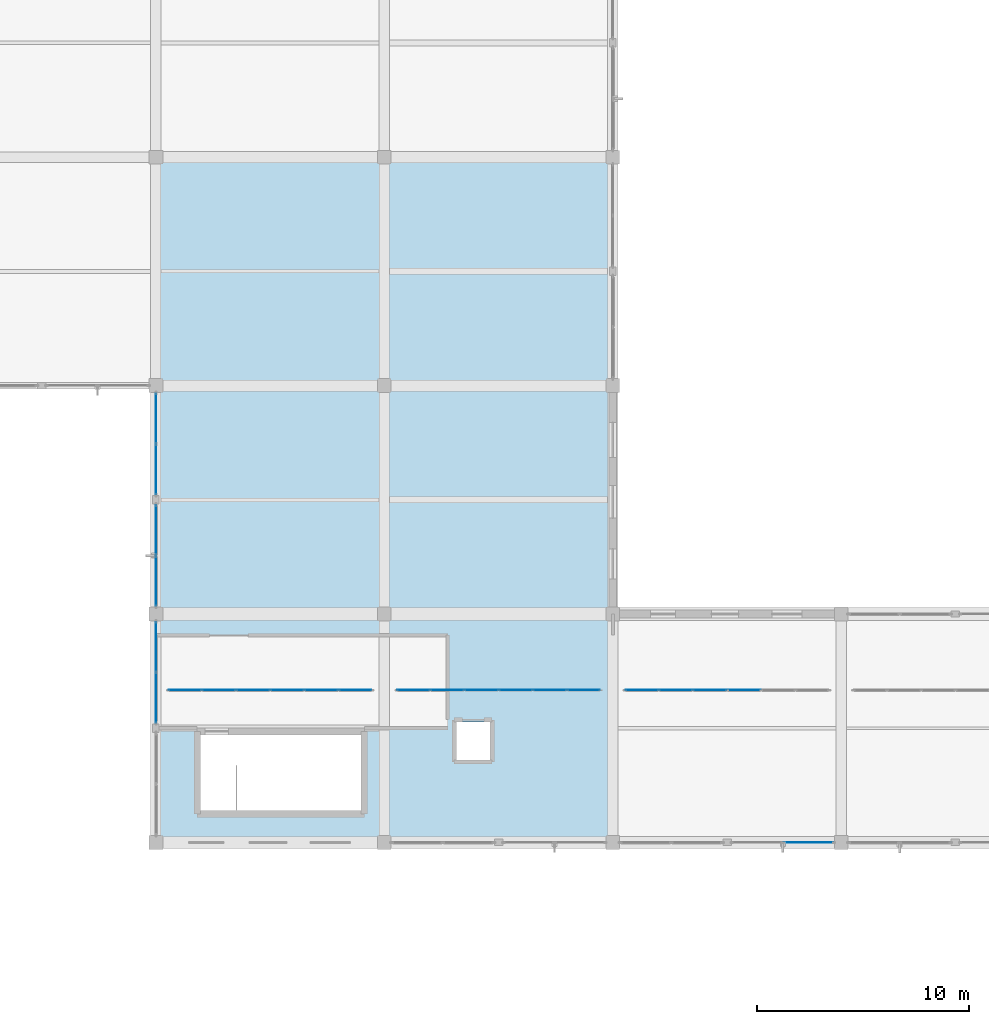
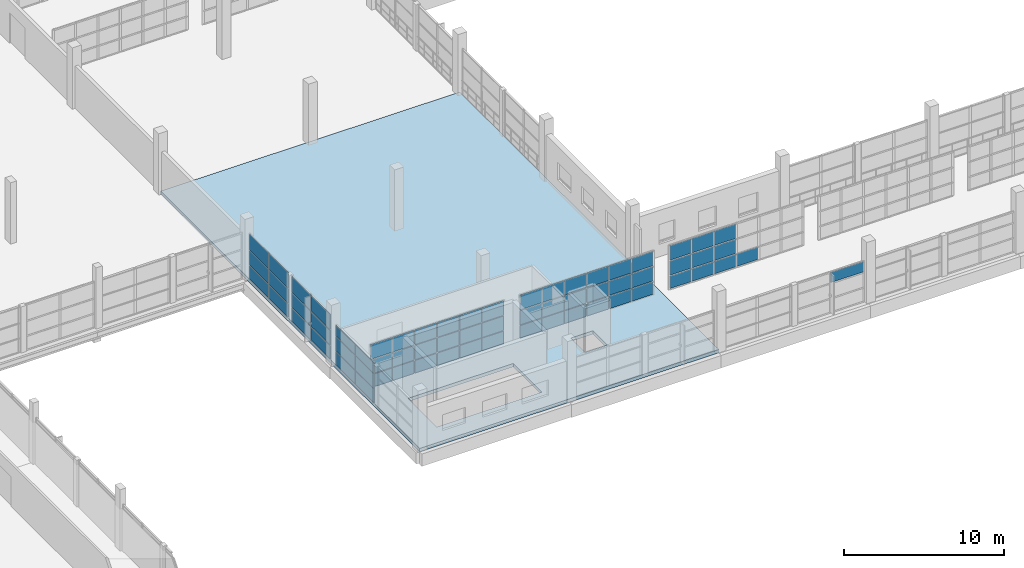
# One storey, part 86 of 142: 65 plates, 1 slab, 7 elements without a shape of their own.
"""IFC4 building model written with IfcOpenShell, lengths in metres."""

import ifcopenshell
import ifcopenshell.guid

model = None  # the IFC model being written
_history = None  # IfcOwnerHistory: only IFC2X3 demands one
_inside = {}  # id of a spatial element -> (the spatial element, [elements in it])
_under = {}  # id of a project, library or spatial element -> (it, [spatial elements below it])
_declared = {}  # id of a project -> (the project, [libraries it declares])
_typed = {}  # id of a type object -> (the type object, [elements of that type])
_made_of = {}  # id of a material, layer set ... -> (it, [elements and type objects made of it])


def new_model(schema):
    """Start an empty IFC model of exactly this schema.

    Asked for "IFC4X3", IfcOpenShell would pick the latest addendum, in which some entities
    have other attributes; the version numbers below select the first issue.
    IFC2X3 requires an IfcOwnerHistory on every rooted entity: one is made here for all.
    """
    global model, _history
    if schema == "IFC4X3":
        model = ifcopenshell.file(schema_version=(4, 3, 0, 0))
    else:
        model = ifcopenshell.file(schema=schema)
    _inside.clear()
    _under.clear()
    _declared.clear()
    _typed.clear()
    _made_of.clear()
    _history = None
    if model.schema == "IFC2X3":
        org = make("IfcOrganization", Name="unknown")
        user = make(
            "IfcPersonAndOrganization",
            ThePerson=make("IfcPerson", FamilyName="unknown"),
            TheOrganization=org,
        )
        app = make(
            "IfcApplication",
            ApplicationDeveloper=org,
            Version="unknown",
            ApplicationFullName="unknown",
            ApplicationIdentifier="unknown",
        )
        _history = make(
            "IfcOwnerHistory",
            OwningUser=user,
            OwningApplication=app,
            ChangeAction="ADDED",
            CreationDate=0,
        )
    return model


def make(cls, **values):
    """One entity of the class cls with the attributes given. An attribute that is None is left unset."""
    return model.create_entity(
        cls, **{name: value for name, value in values.items() if value is not None}
    )


def rooted(cls, **values):
    """An entity with a GlobalId (a new one), such as an element, a storey or a relation."""
    return make(cls, GlobalId=ifcopenshell.guid.new(), OwnerHistory=_history, **values)


def si_unit(unit_type, name, prefix=None):
    """IfcSIUnit, for example si_unit("LENGTHUNIT", "METRE", prefix="MILLI")."""
    return make("IfcSIUnit", UnitType=unit_type, Prefix=prefix, Name=name)


def assignment(units):
    """IfcUnitAssignment: the units of a project."""
    return None if units is None else make("IfcUnitAssignment", Units=units)


def point(xyz):
    """IfcCartesianPoint."""
    return None if xyz is None else make("IfcCartesianPoint", Coordinates=xyz)


def direction(xyz):
    """IfcDirection."""
    return None if xyz is None else make("IfcDirection", DirectionRatios=xyz)


def frame(location, z_axis=None, x_axis=None):
    """IfcAxis2Placement3D, a coordinate frame: its origin and axes. An axis left out is left unset."""
    return make(
        "IfcAxis2Placement3D",
        Location=point(location),
        Axis=direction(z_axis),
        RefDirection=direction(x_axis),
    )


def frame_2d(location, x_axis=None):
    """IfcAxis2Placement2D, a coordinate frame in the plane: its origin and x axis."""
    return make(
        "IfcAxis2Placement2D", Location=point(location), RefDirection=direction(x_axis)
    )


def origin():
    """The frame at (0, 0, 0) with its axes left unset."""
    return frame((0.0, 0.0, 0.0))


def origin_2d():
    """The frame at (0, 0) in the plane with its x axis left unset."""
    return frame_2d((0.0, 0.0))


def place(relative_to, where):
    """IfcLocalPlacement: puts the frame where relative to a parent placement (None: the world)."""
    return make(
        "IfcLocalPlacement", PlacementRelTo=relative_to, RelativePlacement=where
    )


def context(
    kind, dimensions, precision=None, world=None, true_north=None, identifier=None
):
    """IfcGeometricRepresentationContext, for example the 3D "Model" context."""
    return make(
        "IfcGeometricRepresentationContext",
        ContextIdentifier=identifier,
        ContextType=kind,
        CoordinateSpaceDimension=dimensions,
        Precision=precision,
        WorldCoordinateSystem=world,
        TrueNorth=true_north,
    )


def subcontext(parent, identifier, kind, view, scale=None):
    """IfcGeometricRepresentationSubContext, for example "Body" below "Model"."""
    return make(
        "IfcGeometricRepresentationSubContext",
        ContextIdentifier=identifier,
        ContextType=kind,
        ParentContext=parent,
        TargetScale=scale,
        TargetView=view,
    )


def project(units=None, contexts=None):
    """IfcProject with its units and contexts."""
    return rooted(
        "IfcProject",
        Name="project",
        RepresentationContexts=contexts,
        UnitsInContext=assignment(units),
    )


def spatial(cls, under=None, at=None, **own):
    """A site, building, storey or space (cls), placed at a placement, below another one or the project."""
    s = rooted(cls, ObjectPlacement=at, **own)
    if under is not None:
        _under.setdefault(under.id(), (under, []))[1].append(s)
    return s


def polyline(points):
    """IfcPolyline through the points."""
    return make("IfcPolyline", Points=[point(p) for p in points])


def profile(cls, at=None, kind="AREA", **sizes):
    """A parametric profile (cls). Its sizes go by their IFC names, for example OverallWidth=200.0."""
    return make(cls, ProfileType=kind, Position=at, **sizes)


def rectangle(**sizes):
    """IfcRectangleProfileDef."""
    return profile("IfcRectangleProfileDef", **sizes)


def outline(outer, holes=None, kind="AREA"):
    """IfcArbitraryClosedProfileDef: a profile drawn as a closed curve; with holes, ...WithVoids."""
    if holes is None:
        return make("IfcArbitraryClosedProfileDef", ProfileType=kind, OuterCurve=outer)
    return make(
        "IfcArbitraryProfileDefWithVoids",
        ProfileType=kind,
        OuterCurve=outer,
        InnerCurves=holes,
    )


def extrude(swept, where, along, depth):
    """IfcExtrudedAreaSolid: the profile swept, set in the frame where, extruded along a direction by depth."""
    return make(
        "IfcExtrudedAreaSolid",
        SweptArea=swept,
        Position=where,
        ExtrudedDirection=direction(along),
        Depth=depth,
    )


def shape(context_of_items, identifier, shape_type, items):
    """IfcShapeRepresentation: the items that make up one representation, for example the "Body"."""
    return make(
        "IfcShapeRepresentation",
        ContextOfItems=context_of_items,
        RepresentationIdentifier=identifier,
        RepresentationType=shape_type,
        Items=items,
    )


def material(Name=None, Category=None):
    """IfcMaterial."""
    return make("IfcMaterial", Name=Name, Category=Category)


def layer(
    of_material, thickness, ventilated=None, Name=None, Category=None, Priority=None
):
    """IfcMaterialLayer: one layer of a wall or slab, of a material (None: an air gap)."""
    return make(
        "IfcMaterialLayer",
        Material=of_material,
        LayerThickness=thickness,
        IsVentilated=ventilated,
        Name=Name,
        Category=Category,
        Priority=Priority,
    )


def layer_set(layers, Name=None):
    """IfcMaterialLayerSet."""
    return make("IfcMaterialLayerSet", MaterialLayers=layers, LayerSetName=Name)


def made_of(thing, what):
    """Note that an element or type object is made of a material, layer set ...; save() writes the relation."""
    if what is not None:
        _made_of.setdefault(what.id(), (what, []))[1].append(thing)
    return thing


def type_object(cls, material=None, **own):
    """A type object (cls), such as IfcWallType, which elements share."""
    return made_of(rooted(cls, **own), material)


def element(
    cls,
    number,
    at=None,
    inside=None,
    cuts=None,
    type_object=None,
    material=None,
    context=None,
    identifier="Body",
    shape_type=None,
    held_by="IfcProductDefinitionShape",
    body=None,
    shapes=None,
    **own,
):
    """One element of the class cls, such as IfcWall. Its Tag is "e" and its number.

    at: its placement. inside: the storey or other place that contains it. cuts: it is an
    opening in that element (IfcRelVoidsElement). A single representation is given by context,
    identifier, shape_type and body (its items); several are given by shapes. held_by: the class
    of the entity that holds the representations. save() writes the other relations.
    """
    e = rooted(cls, Tag="e%d" % number, ObjectPlacement=at, **own)
    if body is not None:
        shapes = [shape(context, identifier, shape_type, body)]
    if shapes is not None:
        e.Representation = make(held_by, Representations=shapes)
    if inside is not None:
        _inside.setdefault(inside.id(), (inside, []))[1].append(e)
    if cuts is not None:
        rooted(
            "IfcRelVoidsElement", RelatingBuildingElement=cuts, RelatedOpeningElement=e
        )
    if type_object is not None:
        _typed.setdefault(type_object.id(), (type_object, []))[1].append(e)
    return made_of(e, material)


def aggregate(whole, parts):
    """IfcRelAggregates: a whole, such as a stair, and the parts it consists of."""
    return rooted("IfcRelAggregates", RelatingObject=whole, RelatedObjects=parts)


def save(model, path):
    """Write the relations noted so far, then the file.

    IfcRelAggregates (storeys below a building ...), IfcRelContainedInSpatialStructure (elements
    in a storey), IfcRelDefinesByType, IfcRelAssociatesMaterial and IfcRelDeclares: one each for
    every whole, place, type object, material and project.
    """
    for whole, parts in _under.values():
        aggregate(whole, parts)
    for where, things in _inside.values():
        rooted(
            "IfcRelContainedInSpatialStructure",
            RelatedElements=things,
            RelatingStructure=where,
        )
    for kind, things in _typed.values():
        rooted("IfcRelDefinesByType", RelatedObjects=things, RelatingType=kind)
    for what, things in _made_of.values():
        rooted("IfcRelAssociatesMaterial", RelatedObjects=things, RelatingMaterial=what)
    for by, libraries in _declared.values():
        rooted("IfcRelDeclares", RelatingContext=by, RelatedDefinitions=libraries)
    model.write(path)


model = new_model("IFC4")

# Units and contexts
model_context = context("Model", 3, precision=1e-05, world=origin(), true_north=direction((0.0, 1.0)))
body_context = subcontext(model_context, "Body", "Model", "MODEL_VIEW")
ifc_project = project(units=[si_unit("LENGTHUNIT", "METRE"), si_unit("AREAUNIT", "SQUARE_METRE"), si_unit("VOLUMEUNIT", "CUBIC_METRE"), si_unit("PLANEANGLEUNIT", "RADIAN"), si_unit("MASSUNIT", "GRAM", prefix="KILO")], contexts=[model_context])

# Site, building, storey
site_placement = place(None, origin())
site = spatial("IfcSite", under=ifc_project, at=site_placement, CompositionType="ELEMENT")
building_placement = place(site_placement, origin())
building = spatial("IfcBuilding", under=site, at=building_placement, Name="Zwinboog Wholesale Market", CompositionType="ELEMENT")
storey_placement = place(building_placement, frame((0.0, 0.0, 5.39990234375)))
storey = spatial("IfcBuildingStorey", under=building, at=storey_placement, Name="L01", CompositionType="ELEMENT", Elevation=5.39990234375)

# Slab
ifc_material_1 = material(Name="Precast concrete C45/55", Category="concrete")
ifc_layer_1 = layer(ifc_material_1, 0.2548828125)
ifc_layer_set_1 = layer_set([ifc_layer_1], Name="Precast concrete C45/55")
slab_type = type_object("IfcSlabType", Name="SLT-FL-255", PredefinedType="FLOOR", material=ifc_layer_set_1)
slab_placement = place(storey_placement, frame((0.0, 0.0, -0.2548828125)))
element("IfcSlab", 1, at=slab_placement, inside=storey, type_object=slab_type, Name="SF-255 (SLB-L01-035)", PredefinedType="FLOOR", context=body_context, shape_type="SweptSolid", body=[
    extrude(outline(polyline([(64.800048828125, 43.199951171875), (86.39990234375, 43.199951171875), (86.39990234375, 75.60009765625), (64.800048828125, 75.60009765625), (64.800048828125, 43.199951171875)]), holes=[polyline([(66.89990234375, 44.699951171875), (74.5, 44.699951171875), (74.5, 48.300048828125), (66.89990234375, 48.300048828125), (66.89990234375, 44.699951171875)]), polyline([(79.0, 47.10009765625), (80.60009765625, 47.10009765625), (80.60009765625, 48.89990234375), (79.0, 48.89990234375), (79.0, 47.10009765625)])]), origin(), (0.0, 0.0, 1.0), 0.2548828125),
])

# Curtain wall, plates
ifc_material_2 = material(Name="Aluminium thermally broken curtain wall", Category="aluminium")
curtain_wall_type_1 = type_object("IfcCurtainWallType", Name="CWT-STALL-20", PredefinedType="USERDEFINED", material=ifc_material_2)
curtain_wall_1_placement = place(storey_placement, origin())
curtain_wall_1 = element("IfcCurtainWall", 2, at=curtain_wall_1_placement, inside=storey, type_object=curtain_wall_type_1, Name="CW-02 (CW-L01-086)", ObjectType="STOREFRONT_GLAZING", PredefinedType="USERDEFINED")
ifc_material_3 = material(Name="Triple solar-control insulated glazing", Category="glass")
ifc_layer_2 = layer(ifc_material_3, 0.0380859375)
ifc_layer_set_2 = layer_set([ifc_layer_2], Name="Triple solar-control insulated glazing")
plate_type_1 = type_object("IfcPlateType", Name="CWP-IGU-38", PredefinedType="CURTAIN_PANEL", material=ifc_layer_set_2)
plate_1_placement = place(storey_placement, frame((64.800048828125, 50.034912109375, 0.06005859375), z_axis=(0.0, 0.0, 1.0), x_axis=(0.0, 1.0, 0.0)))
plate_1 = element("IfcPlate", 3, at=plate_1_placement, type_object=plate_type_1, Name="CW-02 panel 1.1", PredefinedType="CURTAIN_PANEL", context=body_context, shape_type="SweptSolid", body=[
    extrude(rectangle(XDim=2.35009765625, YDim=0.0380859375, at=origin_2d()), origin(), (0.0, 0.0, 1.0), 1.010009765625),
])
plate_2_placement = place(storey_placement, frame((64.800048828125, 50.034912109375, 1.1298828125), z_axis=(0.0, 0.0, 1.0), x_axis=(0.0, 1.0, 0.0)))
plate_2 = element("IfcPlate", 4, at=plate_2_placement, type_object=plate_type_1, Name="CW-02 panel 1.2", PredefinedType="CURTAIN_PANEL", context=body_context, shape_type="SweptSolid", body=[
    extrude(rectangle(XDim=2.35009765625, YDim=0.0380859375, at=origin_2d()), origin(), (0.0, 0.0, 1.0), 1.090087890625),
])
plate_3_placement = place(storey_placement, frame((64.800048828125, 50.034912109375, 2.2802734375), z_axis=(0.0, 0.0, 1.0), x_axis=(0.0, 1.0, 0.0)))
plate_3 = element("IfcPlate", 5, at=plate_3_placement, type_object=plate_type_1, Name="CW-02 panel 1.3", PredefinedType="CURTAIN_PANEL", context=body_context, shape_type="SweptSolid", body=[
    extrude(rectangle(XDim=2.35009765625, YDim=0.0380859375, at=origin_2d()), origin(), (0.0, 0.0, 1.0), 0.780029296875),
])
plate_4_placement = place(storey_placement, frame((64.800048828125, 52.445068359375, 0.06005859375), z_axis=(0.0, 0.0, 1.0), x_axis=(0.0, 1.0, 0.0)))
plate_4 = element("IfcPlate", 6, at=plate_4_placement, type_object=plate_type_1, Name="CW-02 panel 2.1", PredefinedType="CURTAIN_PANEL", context=body_context, shape_type="SweptSolid", body=[
    extrude(rectangle(XDim=2.35009765625, YDim=0.0380859375, at=origin_2d()), origin(), (0.0, 0.0, 1.0), 1.010009765625),
])
plate_5_placement = place(storey_placement, frame((64.800048828125, 52.445068359375, 1.1298828125), z_axis=(0.0, 0.0, 1.0), x_axis=(0.0, 1.0, 0.0)))
plate_5 = element("IfcPlate", 7, at=plate_5_placement, type_object=plate_type_1, Name="CW-02 panel 2.2", PredefinedType="CURTAIN_PANEL", context=body_context, shape_type="SweptSolid", body=[
    extrude(rectangle(XDim=2.35009765625, YDim=0.0380859375, at=origin_2d()), origin(), (0.0, 0.0, 1.0), 1.090087890625),
])
plate_6_placement = place(storey_placement, frame((64.800048828125, 52.445068359375, 2.2802734375), z_axis=(0.0, 0.0, 1.0), x_axis=(0.0, 1.0, 0.0)))
plate_6 = element("IfcPlate", 8, at=plate_6_placement, type_object=plate_type_1, Name="CW-02 panel 2.3", PredefinedType="CURTAIN_PANEL", context=body_context, shape_type="SweptSolid", body=[
    extrude(rectangle(XDim=2.35009765625, YDim=0.0380859375, at=origin_2d()), origin(), (0.0, 0.0, 1.0), 0.780029296875),
])
aggregate(curtain_wall_1, [plate_1, plate_2, plate_3, plate_4, plate_5, plate_6])

curtain_wall_type_2 = type_object("IfcCurtainWallType", Name="CWT-HALL-24", PredefinedType="USERDEFINED", material=ifc_material_2)
curtain_wall_2_placement = place(storey_placement, origin())
curtain_wall_2 = element("IfcCurtainWall", 9, at=curtain_wall_2_placement, inside=storey, type_object=curtain_wall_type_2, Name="CW-03 (CW-L01-087)", ObjectType="UNITIZED_CURTAIN_WALL", PredefinedType="USERDEFINED")
plate_7_placement = place(storey_placement, frame((64.800048828125, 55.55615234375, 0.065185546875), z_axis=(0.0, 0.0, 1.0), x_axis=(0.0, 1.0, 0.0)))
plate_7 = element("IfcPlate", 10, at=plate_7_placement, type_object=plate_type_1, Name="CW-03 panel 1.1", PredefinedType="CURTAIN_PANEL", context=body_context, shape_type="SweptSolid", body=[
    extrude(rectangle(XDim=2.342529296875, YDim=0.0380859375, at=origin_2d()), origin(), (0.0, 0.0, 1.0), 1.00244140625),
])
plate_8_placement = place(storey_placement, frame((64.800048828125, 55.55615234375, 1.132568359375), z_axis=(0.0, 0.0, 1.0), x_axis=(0.0, 1.0, 0.0)))
plate_8 = element("IfcPlate", 11, at=plate_8_placement, type_object=plate_type_1, Name="CW-03 panel 1.2", PredefinedType="CURTAIN_PANEL", context=body_context, shape_type="SweptSolid", body=[
    extrude(rectangle(XDim=2.342529296875, YDim=0.0380859375, at=origin_2d()), origin(), (0.0, 0.0, 1.0), 1.0849609375),
])
plate_9_placement = place(storey_placement, frame((64.800048828125, 55.55615234375, 2.282470703125), z_axis=(0.0, 0.0, 1.0), x_axis=(0.0, 1.0, 0.0)))
plate_9 = element("IfcPlate", 12, at=plate_9_placement, type_object=plate_type_1, Name="CW-03 panel 1.3", PredefinedType="CURTAIN_PANEL", context=body_context, shape_type="SweptSolid", body=[
    extrude(rectangle(XDim=2.342529296875, YDim=0.0380859375, at=origin_2d()), origin(), (0.0, 0.0, 1.0), 1.1826171875),
])
plate_10_placement = place(storey_placement, frame((64.800048828125, 57.9638671875, 0.065185546875), z_axis=(0.0, 0.0, 1.0), x_axis=(0.0, 1.0, 0.0)))
plate_10 = element("IfcPlate", 13, at=plate_10_placement, type_object=plate_type_1, Name="CW-03 panel 2.1", PredefinedType="CURTAIN_PANEL", context=body_context, shape_type="SweptSolid", body=[
    extrude(rectangle(XDim=2.342529296875, YDim=0.0380859375, at=origin_2d()), origin(), (0.0, 0.0, 1.0), 1.00244140625),
])
plate_11_placement = place(storey_placement, frame((64.800048828125, 57.9638671875, 1.132568359375), z_axis=(0.0, 0.0, 1.0), x_axis=(0.0, 1.0, 0.0)))
plate_11 = element("IfcPlate", 14, at=plate_11_placement, type_object=plate_type_1, Name="CW-03 panel 2.2", PredefinedType="CURTAIN_PANEL", context=body_context, shape_type="SweptSolid", body=[
    extrude(rectangle(XDim=2.342529296875, YDim=0.0380859375, at=origin_2d()), origin(), (0.0, 0.0, 1.0), 1.0849609375),
])
plate_12_placement = place(storey_placement, frame((64.800048828125, 57.9638671875, 2.282470703125), z_axis=(0.0, 0.0, 1.0), x_axis=(0.0, 1.0, 0.0)))
plate_12 = element("IfcPlate", 15, at=plate_12_placement, type_object=plate_type_1, Name="CW-03 panel 2.3", PredefinedType="CURTAIN_PANEL", context=body_context, shape_type="SweptSolid", body=[
    extrude(rectangle(XDim=2.342529296875, YDim=0.0380859375, at=origin_2d()), origin(), (0.0, 0.0, 1.0), 1.1826171875),
])
aggregate(curtain_wall_2, [plate_7, plate_8, plate_9, plate_10, plate_11, plate_12])

curtain_wall_type_3 = type_object("IfcCurtainWallType", Name="CWT-GAL-16", PredefinedType="USERDEFINED", material=ifc_material_2)
curtain_wall_3_placement = place(storey_placement, origin())
curtain_wall_3 = element("IfcCurtainWall", 16, at=curtain_wall_3_placement, inside=storey, type_object=curtain_wall_type_3, Name="CW-04 (CW-L01-088)", ObjectType="UNITIZED_CURTAIN_WALL", PredefinedType="USERDEFINED")
plate_13_placement = place(storey_placement, frame((64.800048828125, 60.8349609375, 0.06005859375), z_axis=(0.0, 0.0, 1.0), x_axis=(0.0, 1.0, 0.0)))
plate_13 = element("IfcPlate", 17, at=plate_13_placement, type_object=plate_type_1, Name="CW-04 panel 1.1", PredefinedType="CURTAIN_PANEL", context=body_context, shape_type="SweptSolid", body=[
    extrude(rectangle(XDim=2.35009765625, YDim=0.0380859375, at=origin_2d()), origin(), (0.0, 0.0, 1.0), 1.010009765625),
])
plate_14_placement = place(storey_placement, frame((64.800048828125, 60.8349609375, 1.1298828125), z_axis=(0.0, 0.0, 1.0), x_axis=(0.0, 1.0, 0.0)))
plate_14 = element("IfcPlate", 18, at=plate_14_placement, type_object=plate_type_1, Name="CW-04 panel 1.2", PredefinedType="CURTAIN_PANEL", context=body_context, shape_type="SweptSolid", body=[
    extrude(rectangle(XDim=2.35009765625, YDim=0.0380859375, at=origin_2d()), origin(), (0.0, 0.0, 1.0), 1.090087890625),
])
plate_15_placement = place(storey_placement, frame((64.800048828125, 60.8349609375, 2.280029296875), z_axis=(0.0, 0.0, 1.0), x_axis=(0.0, 1.0, 0.0)))
plate_15 = element("IfcPlate", 19, at=plate_15_placement, type_object=plate_type_1, Name="CW-04 panel 1.3", PredefinedType="CURTAIN_PANEL", context=body_context, shape_type="SweptSolid", body=[
    extrude(rectangle(XDim=2.35009765625, YDim=0.0380859375, at=origin_2d()), origin(), (0.0, 0.0, 1.0), 1.18994140625),
])
plate_16_placement = place(storey_placement, frame((64.800048828125, 63.2451171875, 0.06005859375), z_axis=(0.0, 0.0, 1.0), x_axis=(0.0, 1.0, 0.0)))
plate_16 = element("IfcPlate", 20, at=plate_16_placement, type_object=plate_type_1, Name="CW-04 panel 2.1", PredefinedType="CURTAIN_PANEL", context=body_context, shape_type="SweptSolid", body=[
    extrude(rectangle(XDim=2.35009765625, YDim=0.0380859375, at=origin_2d()), origin(), (0.0, 0.0, 1.0), 1.010009765625),
])
plate_17_placement = place(storey_placement, frame((64.800048828125, 63.2451171875, 1.1298828125), z_axis=(0.0, 0.0, 1.0), x_axis=(0.0, 1.0, 0.0)))
plate_17 = element("IfcPlate", 21, at=plate_17_placement, type_object=plate_type_1, Name="CW-04 panel 2.2", PredefinedType="CURTAIN_PANEL", context=body_context, shape_type="SweptSolid", body=[
    extrude(rectangle(XDim=2.35009765625, YDim=0.0380859375, at=origin_2d()), origin(), (0.0, 0.0, 1.0), 1.090087890625),
])
plate_18_placement = place(storey_placement, frame((64.800048828125, 63.2451171875, 2.280029296875), z_axis=(0.0, 0.0, 1.0), x_axis=(0.0, 1.0, 0.0)))
plate_18 = element("IfcPlate", 22, at=plate_18_placement, type_object=plate_type_1, Name="CW-04 panel 2.3", PredefinedType="CURTAIN_PANEL", context=body_context, shape_type="SweptSolid", body=[
    extrude(rectangle(XDim=2.35009765625, YDim=0.0380859375, at=origin_2d()), origin(), (0.0, 0.0, 1.0), 1.18994140625),
])
aggregate(curtain_wall_3, [plate_13, plate_14, plate_15, plate_16, plate_17, plate_18])

# Curtain wall, plate
curtain_wall_type_4 = type_object("IfcCurtainWallType", Name="CWT-OFF-15", PredefinedType="USERDEFINED", material=ifc_material_2)
curtain_wall_4_placement = place(storey_placement, origin())
curtain_wall_4 = element("IfcCurtainWall", 23, at=curtain_wall_4_placement, inside=storey, type_object=curtain_wall_type_4, Name="CW-06 (CW-L01-096)", ObjectType="UNITIZED_CURTAIN_WALL", PredefinedType="USERDEFINED")
plate_19_placement = place(storey_placement, frame((95.64501953125, 43.199951171875, 2.2802734375), z_axis=(0.0, 0.0, 1.0), x_axis=(1.0, 0.0, 0.0)))
plate_19 = element("IfcPlate", 24, at=plate_19_placement, type_object=plate_type_1, Name="CW-06 panel 2.3", PredefinedType="CURTAIN_PANEL", context=body_context, shape_type="SweptSolid", body=[
    extrude(rectangle(XDim=2.35009765625, YDim=0.0380859375, at=origin_2d()), origin(), (0.0, 0.0, 1.0), 0.780029296875),
])
aggregate(curtain_wall_4, [plate_19])

# Curtain wall, plates
curtain_wall_type_5 = type_object("IfcCurtainWallType", Name="CWT-INT-STALL", PredefinedType="USERDEFINED", material=ifc_material_2)
curtain_wall_5_placement = place(storey_placement, origin())
curtain_wall_5 = element("IfcCurtainWall", 25, at=curtain_wall_5_placement, inside=storey, type_object=curtain_wall_type_5, Name="CW-07 (CW-STL-225)", ObjectType="STOREFRONT_GLAZING", PredefinedType="USERDEFINED")
ifc_material_4 = material(Name="Tempered laminated market stall glazing", Category="glass")
ifc_layer_3 = layer(ifc_material_4, 0.01611328125)
ifc_layer_set_3 = layer_set([ifc_layer_3], Name="Tempered laminated market stall glazing")
plate_type_2 = type_object("IfcPlateType", Name="CWP-INT-16", PredefinedType="CURTAIN_PANEL", material=ifc_layer_set_3)
plate_20_placement = place(storey_placement, frame((66.17333984375, 50.39990234375, 0.06005859375), z_axis=(0.0, 0.0, 1.0), x_axis=(1.0, 0.0, 0.0)))
plate_20 = element("IfcPlate", 26, at=plate_20_placement, type_object=plate_type_2, Name="CW-07 panel 1.1", PredefinedType="CURTAIN_PANEL", context=body_context, shape_type="SweptSolid", body=[
    extrude(rectangle(XDim=1.526611328125, YDim=0.01611328125, at=origin_2d()), origin(), (0.0, 0.0, 1.0), 0.9599609375),
])
plate_21_placement = place(storey_placement, frame((66.17333984375, 50.39990234375, 1.080078125), z_axis=(0.0, 0.0, 1.0), x_axis=(1.0, 0.0, 0.0)))
plate_21 = element("IfcPlate", 27, at=plate_21_placement, type_object=plate_type_2, Name="CW-07 panel 1.2", PredefinedType="CURTAIN_PANEL", context=body_context, shape_type="SweptSolid", body=[
    extrude(rectangle(XDim=1.526611328125, YDim=0.01611328125, at=origin_2d()), origin(), (0.0, 0.0, 1.0), 1.090087890625),
])
plate_22_placement = place(storey_placement, frame((66.17333984375, 50.39990234375, 2.22998046875), z_axis=(0.0, 0.0, 1.0), x_axis=(1.0, 0.0, 0.0)))
plate_22 = element("IfcPlate", 28, at=plate_22_placement, type_object=plate_type_2, Name="CW-07 panel 1.3", PredefinedType="CURTAIN_PANEL", context=body_context, shape_type="SweptSolid", body=[
    extrude(rectangle(XDim=1.526611328125, YDim=0.01611328125, at=origin_2d()), origin(), (0.0, 0.0, 1.0), 1.110107421875),
])
plate_23_placement = place(storey_placement, frame((67.77490234375, 50.39990234375, 0.06005859375), z_axis=(0.0, 0.0, 1.0), x_axis=(1.0, 0.0, 0.0)))
plate_23 = element("IfcPlate", 29, at=plate_23_placement, type_object=plate_type_2, Name="CW-07 panel 2.1", PredefinedType="CURTAIN_PANEL", context=body_context, shape_type="SweptSolid", body=[
    extrude(rectangle(XDim=1.556640625, YDim=0.01611328125, at=origin_2d()), origin(), (0.0, 0.0, 1.0), 0.9599609375),
])
plate_24_placement = place(storey_placement, frame((67.77490234375, 50.39990234375, 1.080078125), z_axis=(0.0, 0.0, 1.0), x_axis=(1.0, 0.0, 0.0)))
plate_24 = element("IfcPlate", 30, at=plate_24_placement, type_object=plate_type_2, Name="CW-07 panel 2.2", PredefinedType="CURTAIN_PANEL", context=body_context, shape_type="SweptSolid", body=[
    extrude(rectangle(XDim=1.556640625, YDim=0.01611328125, at=origin_2d()), origin(), (0.0, 0.0, 1.0), 1.090087890625),
])
plate_25_placement = place(storey_placement, frame((67.77490234375, 50.39990234375, 2.22998046875), z_axis=(0.0, 0.0, 1.0), x_axis=(1.0, 0.0, 0.0)))
plate_25 = element("IfcPlate", 31, at=plate_25_placement, type_object=plate_type_2, Name="CW-07 panel 2.3", PredefinedType="CURTAIN_PANEL", context=body_context, shape_type="SweptSolid", body=[
    extrude(rectangle(XDim=1.556640625, YDim=0.01611328125, at=origin_2d()), origin(), (0.0, 0.0, 1.0), 1.110107421875),
])
plate_26_placement = place(storey_placement, frame((69.3916015625, 50.39990234375, 0.06005859375), z_axis=(0.0, 0.0, 1.0), x_axis=(1.0, 0.0, 0.0)))
plate_26 = element("IfcPlate", 32, at=plate_26_placement, type_object=plate_type_2, Name="CW-07 panel 3.1", PredefinedType="CURTAIN_PANEL", context=body_context, shape_type="SweptSolid", body=[
    extrude(rectangle(XDim=1.556640625, YDim=0.01611328125, at=origin_2d()), origin(), (0.0, 0.0, 1.0), 0.9599609375),
])
plate_27_placement = place(storey_placement, frame((69.3916015625, 50.39990234375, 1.080078125), z_axis=(0.0, 0.0, 1.0), x_axis=(1.0, 0.0, 0.0)))
plate_27 = element("IfcPlate", 33, at=plate_27_placement, type_object=plate_type_2, Name="CW-07 panel 3.2", PredefinedType="CURTAIN_PANEL", context=body_context, shape_type="SweptSolid", body=[
    extrude(rectangle(XDim=1.556640625, YDim=0.01611328125, at=origin_2d()), origin(), (0.0, 0.0, 1.0), 1.090087890625),
])
plate_28_placement = place(storey_placement, frame((69.3916015625, 50.39990234375, 2.22998046875), z_axis=(0.0, 0.0, 1.0), x_axis=(1.0, 0.0, 0.0)))
plate_28 = element("IfcPlate", 34, at=plate_28_placement, type_object=plate_type_2, Name="CW-07 panel 3.3", PredefinedType="CURTAIN_PANEL", context=body_context, shape_type="SweptSolid", body=[
    extrude(rectangle(XDim=1.556640625, YDim=0.01611328125, at=origin_2d()), origin(), (0.0, 0.0, 1.0), 1.110107421875),
])
plate_29_placement = place(storey_placement, frame((71.00830078125, 50.39990234375, 0.06005859375), z_axis=(0.0, 0.0, 1.0), x_axis=(1.0, 0.0, 0.0)))
plate_29 = element("IfcPlate", 35, at=plate_29_placement, type_object=plate_type_2, Name="CW-07 panel 4.1", PredefinedType="CURTAIN_PANEL", context=body_context, shape_type="SweptSolid", body=[
    extrude(rectangle(XDim=1.556640625, YDim=0.01611328125, at=origin_2d()), origin(), (0.0, 0.0, 1.0), 0.9599609375),
])
plate_30_placement = place(storey_placement, frame((71.00830078125, 50.39990234375, 1.080078125), z_axis=(0.0, 0.0, 1.0), x_axis=(1.0, 0.0, 0.0)))
plate_30 = element("IfcPlate", 36, at=plate_30_placement, type_object=plate_type_2, Name="CW-07 panel 4.2", PredefinedType="CURTAIN_PANEL", context=body_context, shape_type="SweptSolid", body=[
    extrude(rectangle(XDim=1.556640625, YDim=0.01611328125, at=origin_2d()), origin(), (0.0, 0.0, 1.0), 1.090087890625),
])
plate_31_placement = place(storey_placement, frame((71.00830078125, 50.39990234375, 2.22998046875), z_axis=(0.0, 0.0, 1.0), x_axis=(1.0, 0.0, 0.0)))
plate_31 = element("IfcPlate", 37, at=plate_31_placement, type_object=plate_type_2, Name="CW-07 panel 4.3", PredefinedType="CURTAIN_PANEL", context=body_context, shape_type="SweptSolid", body=[
    extrude(rectangle(XDim=1.556640625, YDim=0.01611328125, at=origin_2d()), origin(), (0.0, 0.0, 1.0), 1.110107421875),
])
plate_32_placement = place(storey_placement, frame((72.625, 50.39990234375, 0.06005859375), z_axis=(0.0, 0.0, 1.0), x_axis=(1.0, 0.0, 0.0)))
plate_32 = element("IfcPlate", 38, at=plate_32_placement, type_object=plate_type_2, Name="CW-07 panel 5.1", PredefinedType="CURTAIN_PANEL", context=body_context, shape_type="SweptSolid", body=[
    extrude(rectangle(XDim=1.556640625, YDim=0.01611328125, at=origin_2d()), origin(), (0.0, 0.0, 1.0), 0.9599609375),
])
plate_33_placement = place(storey_placement, frame((72.625, 50.39990234375, 1.080078125), z_axis=(0.0, 0.0, 1.0), x_axis=(1.0, 0.0, 0.0)))
plate_33 = element("IfcPlate", 39, at=plate_33_placement, type_object=plate_type_2, Name="CW-07 panel 5.2", PredefinedType="CURTAIN_PANEL", context=body_context, shape_type="SweptSolid", body=[
    extrude(rectangle(XDim=1.556640625, YDim=0.01611328125, at=origin_2d()), origin(), (0.0, 0.0, 1.0), 1.090087890625),
])
plate_34_placement = place(storey_placement, frame((72.625, 50.39990234375, 2.22998046875), z_axis=(0.0, 0.0, 1.0), x_axis=(1.0, 0.0, 0.0)))
plate_34 = element("IfcPlate", 40, at=plate_34_placement, type_object=plate_type_2, Name="CW-07 panel 5.3", PredefinedType="CURTAIN_PANEL", context=body_context, shape_type="SweptSolid", body=[
    extrude(rectangle(XDim=1.556640625, YDim=0.01611328125, at=origin_2d()), origin(), (0.0, 0.0, 1.0), 1.110107421875),
])
plate_35_placement = place(storey_placement, frame((74.2265625, 50.39990234375, 0.06005859375), z_axis=(0.0, 0.0, 1.0), x_axis=(1.0, 0.0, 0.0)))
plate_35 = element("IfcPlate", 41, at=plate_35_placement, type_object=plate_type_2, Name="CW-07 panel 6.1", PredefinedType="CURTAIN_PANEL", context=body_context, shape_type="SweptSolid", body=[
    extrude(rectangle(XDim=1.526611328125, YDim=0.01611328125, at=origin_2d()), origin(), (0.0, 0.0, 1.0), 0.9599609375),
])
plate_36_placement = place(storey_placement, frame((74.2265625, 50.39990234375, 1.080078125), z_axis=(0.0, 0.0, 1.0), x_axis=(1.0, 0.0, 0.0)))
plate_36 = element("IfcPlate", 42, at=plate_36_placement, type_object=plate_type_2, Name="CW-07 panel 6.2", PredefinedType="CURTAIN_PANEL", context=body_context, shape_type="SweptSolid", body=[
    extrude(rectangle(XDim=1.526611328125, YDim=0.01611328125, at=origin_2d()), origin(), (0.0, 0.0, 1.0), 1.090087890625),
])
plate_37_placement = place(storey_placement, frame((74.2265625, 50.39990234375, 2.22998046875), z_axis=(0.0, 0.0, 1.0), x_axis=(1.0, 0.0, 0.0)))
plate_37 = element("IfcPlate", 43, at=plate_37_placement, type_object=plate_type_2, Name="CW-07 panel 6.3", PredefinedType="CURTAIN_PANEL", context=body_context, shape_type="SweptSolid", body=[
    extrude(rectangle(XDim=1.526611328125, YDim=0.01611328125, at=origin_2d()), origin(), (0.0, 0.0, 1.0), 1.110107421875),
])
aggregate(curtain_wall_5, [plate_20, plate_21, plate_22, plate_23, plate_24, plate_25, plate_26, plate_27, plate_28, plate_29, plate_30, plate_31, plate_32, plate_33, plate_34, plate_35, plate_36, plate_37])

curtain_wall_6_placement = place(storey_placement, origin())
curtain_wall_6 = element("IfcCurtainWall", 44, at=curtain_wall_6_placement, inside=storey, type_object=curtain_wall_type_5, Name="CW-07 (CW-STL-226)", ObjectType="STOREFRONT_GLAZING", PredefinedType="USERDEFINED")
plate_38_placement = place(storey_placement, frame((76.973388671875, 50.39990234375, 0.06005859375), z_axis=(0.0, 0.0, 1.0), x_axis=(1.0, 0.0, 0.0)))
plate_38 = element("IfcPlate", 45, at=plate_38_placement, type_object=plate_type_2, Name="CW-07 panel 1.1", PredefinedType="CURTAIN_PANEL", context=body_context, shape_type="SweptSolid", body=[
    extrude(rectangle(XDim=1.526611328125, YDim=0.01611328125, at=origin_2d()), origin(), (0.0, 0.0, 1.0), 0.9599609375),
])
plate_39_placement = place(storey_placement, frame((76.973388671875, 50.39990234375, 1.080078125), z_axis=(0.0, 0.0, 1.0), x_axis=(1.0, 0.0, 0.0)))
plate_39 = element("IfcPlate", 46, at=plate_39_placement, type_object=plate_type_2, Name="CW-07 panel 1.2", PredefinedType="CURTAIN_PANEL", context=body_context, shape_type="SweptSolid", body=[
    extrude(rectangle(XDim=1.526611328125, YDim=0.01611328125, at=origin_2d()), origin(), (0.0, 0.0, 1.0), 1.090087890625),
])
plate_40_placement = place(storey_placement, frame((76.973388671875, 50.39990234375, 2.22998046875), z_axis=(0.0, 0.0, 1.0), x_axis=(1.0, 0.0, 0.0)))
plate_40 = element("IfcPlate", 47, at=plate_40_placement, type_object=plate_type_2, Name="CW-07 panel 1.3", PredefinedType="CURTAIN_PANEL", context=body_context, shape_type="SweptSolid", body=[
    extrude(rectangle(XDim=1.526611328125, YDim=0.01611328125, at=origin_2d()), origin(), (0.0, 0.0, 1.0), 1.110107421875),
])
plate_41_placement = place(storey_placement, frame((78.574951171875, 50.39990234375, 0.06005859375), z_axis=(0.0, 0.0, 1.0), x_axis=(1.0, 0.0, 0.0)))
plate_41 = element("IfcPlate", 48, at=plate_41_placement, type_object=plate_type_2, Name="CW-07 panel 2.1", PredefinedType="CURTAIN_PANEL", context=body_context, shape_type="SweptSolid", body=[
    extrude(rectangle(XDim=1.556640625, YDim=0.01611328125, at=origin_2d()), origin(), (0.0, 0.0, 1.0), 0.9599609375),
])
plate_42_placement = place(storey_placement, frame((78.574951171875, 50.39990234375, 1.080078125), z_axis=(0.0, 0.0, 1.0), x_axis=(1.0, 0.0, 0.0)))
plate_42 = element("IfcPlate", 49, at=plate_42_placement, type_object=plate_type_2, Name="CW-07 panel 2.2", PredefinedType="CURTAIN_PANEL", context=body_context, shape_type="SweptSolid", body=[
    extrude(rectangle(XDim=1.556640625, YDim=0.01611328125, at=origin_2d()), origin(), (0.0, 0.0, 1.0), 1.090087890625),
])
plate_43_placement = place(storey_placement, frame((78.574951171875, 50.39990234375, 2.22998046875), z_axis=(0.0, 0.0, 1.0), x_axis=(1.0, 0.0, 0.0)))
plate_43 = element("IfcPlate", 50, at=plate_43_placement, type_object=plate_type_2, Name="CW-07 panel 2.3", PredefinedType="CURTAIN_PANEL", context=body_context, shape_type="SweptSolid", body=[
    extrude(rectangle(XDim=1.556640625, YDim=0.01611328125, at=origin_2d()), origin(), (0.0, 0.0, 1.0), 1.110107421875),
])
plate_44_placement = place(storey_placement, frame((80.191650390625, 50.39990234375, 0.06005859375), z_axis=(0.0, 0.0, 1.0), x_axis=(1.0, 0.0, 0.0)))
plate_44 = element("IfcPlate", 51, at=plate_44_placement, type_object=plate_type_2, Name="CW-07 panel 3.1", PredefinedType="CURTAIN_PANEL", context=body_context, shape_type="SweptSolid", body=[
    extrude(rectangle(XDim=1.556640625, YDim=0.01611328125, at=origin_2d()), origin(), (0.0, 0.0, 1.0), 0.9599609375),
])
plate_45_placement = place(storey_placement, frame((80.191650390625, 50.39990234375, 1.080078125), z_axis=(0.0, 0.0, 1.0), x_axis=(1.0, 0.0, 0.0)))
plate_45 = element("IfcPlate", 52, at=plate_45_placement, type_object=plate_type_2, Name="CW-07 panel 3.2", PredefinedType="CURTAIN_PANEL", context=body_context, shape_type="SweptSolid", body=[
    extrude(rectangle(XDim=1.556640625, YDim=0.01611328125, at=origin_2d()), origin(), (0.0, 0.0, 1.0), 1.090087890625),
])
plate_46_placement = place(storey_placement, frame((80.191650390625, 50.39990234375, 2.22998046875), z_axis=(0.0, 0.0, 1.0), x_axis=(1.0, 0.0, 0.0)))
plate_46 = element("IfcPlate", 53, at=plate_46_placement, type_object=plate_type_2, Name="CW-07 panel 3.3", PredefinedType="CURTAIN_PANEL", context=body_context, shape_type="SweptSolid", body=[
    extrude(rectangle(XDim=1.556640625, YDim=0.01611328125, at=origin_2d()), origin(), (0.0, 0.0, 1.0), 1.110107421875),
])
plate_47_placement = place(storey_placement, frame((81.808349609375, 50.39990234375, 0.06005859375), z_axis=(0.0, 0.0, 1.0), x_axis=(1.0, 0.0, 0.0)))
plate_47 = element("IfcPlate", 54, at=plate_47_placement, type_object=plate_type_2, Name="CW-07 panel 4.1", PredefinedType="CURTAIN_PANEL", context=body_context, shape_type="SweptSolid", body=[
    extrude(rectangle(XDim=1.556640625, YDim=0.01611328125, at=origin_2d()), origin(), (0.0, 0.0, 1.0), 0.9599609375),
])
plate_48_placement = place(storey_placement, frame((81.808349609375, 50.39990234375, 1.080078125), z_axis=(0.0, 0.0, 1.0), x_axis=(1.0, 0.0, 0.0)))
plate_48 = element("IfcPlate", 55, at=plate_48_placement, type_object=plate_type_2, Name="CW-07 panel 4.2", PredefinedType="CURTAIN_PANEL", context=body_context, shape_type="SweptSolid", body=[
    extrude(rectangle(XDim=1.556640625, YDim=0.01611328125, at=origin_2d()), origin(), (0.0, 0.0, 1.0), 1.090087890625),
])
plate_49_placement = place(storey_placement, frame((81.808349609375, 50.39990234375, 2.22998046875), z_axis=(0.0, 0.0, 1.0), x_axis=(1.0, 0.0, 0.0)))
plate_49 = element("IfcPlate", 56, at=plate_49_placement, type_object=plate_type_2, Name="CW-07 panel 4.3", PredefinedType="CURTAIN_PANEL", context=body_context, shape_type="SweptSolid", body=[
    extrude(rectangle(XDim=1.556640625, YDim=0.01611328125, at=origin_2d()), origin(), (0.0, 0.0, 1.0), 1.110107421875),
])
plate_50_placement = place(storey_placement, frame((83.425048828125, 50.39990234375, 0.06005859375), z_axis=(0.0, 0.0, 1.0), x_axis=(1.0, 0.0, 0.0)))
plate_50 = element("IfcPlate", 57, at=plate_50_placement, type_object=plate_type_2, Name="CW-07 panel 5.1", PredefinedType="CURTAIN_PANEL", context=body_context, shape_type="SweptSolid", body=[
    extrude(rectangle(XDim=1.556640625, YDim=0.01611328125, at=origin_2d()), origin(), (0.0, 0.0, 1.0), 0.9599609375),
])
plate_51_placement = place(storey_placement, frame((83.425048828125, 50.39990234375, 1.080078125), z_axis=(0.0, 0.0, 1.0), x_axis=(1.0, 0.0, 0.0)))
plate_51 = element("IfcPlate", 58, at=plate_51_placement, type_object=plate_type_2, Name="CW-07 panel 5.2", PredefinedType="CURTAIN_PANEL", context=body_context, shape_type="SweptSolid", body=[
    extrude(rectangle(XDim=1.556640625, YDim=0.01611328125, at=origin_2d()), origin(), (0.0, 0.0, 1.0), 1.090087890625),
])
plate_52_placement = place(storey_placement, frame((83.425048828125, 50.39990234375, 2.22998046875), z_axis=(0.0, 0.0, 1.0), x_axis=(1.0, 0.0, 0.0)))
plate_52 = element("IfcPlate", 59, at=plate_52_placement, type_object=plate_type_2, Name="CW-07 panel 5.3", PredefinedType="CURTAIN_PANEL", context=body_context, shape_type="SweptSolid", body=[
    extrude(rectangle(XDim=1.556640625, YDim=0.01611328125, at=origin_2d()), origin(), (0.0, 0.0, 1.0), 1.110107421875),
])
plate_53_placement = place(storey_placement, frame((85.026611328125, 50.39990234375, 0.06005859375), z_axis=(0.0, 0.0, 1.0), x_axis=(1.0, 0.0, 0.0)))
plate_53 = element("IfcPlate", 60, at=plate_53_placement, type_object=plate_type_2, Name="CW-07 panel 6.1", PredefinedType="CURTAIN_PANEL", context=body_context, shape_type="SweptSolid", body=[
    extrude(rectangle(XDim=1.526611328125, YDim=0.01611328125, at=origin_2d()), origin(), (0.0, 0.0, 1.0), 0.9599609375),
])
plate_54_placement = place(storey_placement, frame((85.026611328125, 50.39990234375, 1.080078125), z_axis=(0.0, 0.0, 1.0), x_axis=(1.0, 0.0, 0.0)))
plate_54 = element("IfcPlate", 61, at=plate_54_placement, type_object=plate_type_2, Name="CW-07 panel 6.2", PredefinedType="CURTAIN_PANEL", context=body_context, shape_type="SweptSolid", body=[
    extrude(rectangle(XDim=1.526611328125, YDim=0.01611328125, at=origin_2d()), origin(), (0.0, 0.0, 1.0), 1.090087890625),
])
plate_55_placement = place(storey_placement, frame((85.026611328125, 50.39990234375, 2.22998046875), z_axis=(0.0, 0.0, 1.0), x_axis=(1.0, 0.0, 0.0)))
plate_55 = element("IfcPlate", 62, at=plate_55_placement, type_object=plate_type_2, Name="CW-07 panel 6.3", PredefinedType="CURTAIN_PANEL", context=body_context, shape_type="SweptSolid", body=[
    extrude(rectangle(XDim=1.526611328125, YDim=0.01611328125, at=origin_2d()), origin(), (0.0, 0.0, 1.0), 1.110107421875),
])
aggregate(curtain_wall_6, [plate_38, plate_39, plate_40, plate_41, plate_42, plate_43, plate_44, plate_45, plate_46, plate_47, plate_48, plate_49, plate_50, plate_51, plate_52, plate_53, plate_54, plate_55])

curtain_wall_7_placement = place(storey_placement, origin())
curtain_wall_7 = element("IfcCurtainWall", 63, at=curtain_wall_7_placement, inside=storey, type_object=curtain_wall_type_5, Name="CW-07 (CW-STL-227)", ObjectType="STOREFRONT_GLAZING", PredefinedType="USERDEFINED")
plate_56_placement = place(storey_placement, frame((87.7734375, 50.39990234375, 0.06005859375), z_axis=(0.0, 0.0, 1.0), x_axis=(1.0, 0.0, 0.0)))
plate_56 = element("IfcPlate", 64, at=plate_56_placement, type_object=plate_type_2, Name="CW-07 panel 1.1", PredefinedType="CURTAIN_PANEL", context=body_context, shape_type="SweptSolid", body=[
    extrude(rectangle(XDim=1.526611328125, YDim=0.01611328125, at=origin_2d()), origin(), (0.0, 0.0, 1.0), 0.9599609375),
])
plate_57_placement = place(storey_placement, frame((87.7734375, 50.39990234375, 1.080078125), z_axis=(0.0, 0.0, 1.0), x_axis=(1.0, 0.0, 0.0)))
plate_57 = element("IfcPlate", 65, at=plate_57_placement, type_object=plate_type_2, Name="CW-07 panel 1.2", PredefinedType="CURTAIN_PANEL", context=body_context, shape_type="SweptSolid", body=[
    extrude(rectangle(XDim=1.526611328125, YDim=0.01611328125, at=origin_2d()), origin(), (0.0, 0.0, 1.0), 1.090087890625),
])
plate_58_placement = place(storey_placement, frame((87.7734375, 50.39990234375, 2.22998046875), z_axis=(0.0, 0.0, 1.0), x_axis=(1.0, 0.0, 0.0)))
plate_58 = element("IfcPlate", 66, at=plate_58_placement, type_object=plate_type_2, Name="CW-07 panel 1.3", PredefinedType="CURTAIN_PANEL", context=body_context, shape_type="SweptSolid", body=[
    extrude(rectangle(XDim=1.526611328125, YDim=0.01611328125, at=origin_2d()), origin(), (0.0, 0.0, 1.0), 1.110107421875),
])
plate_59_placement = place(storey_placement, frame((89.375, 50.39990234375, 0.06005859375), z_axis=(0.0, 0.0, 1.0), x_axis=(1.0, 0.0, 0.0)))
plate_59 = element("IfcPlate", 67, at=plate_59_placement, type_object=plate_type_2, Name="CW-07 panel 2.1", PredefinedType="CURTAIN_PANEL", context=body_context, shape_type="SweptSolid", body=[
    extrude(rectangle(XDim=1.556640625, YDim=0.01611328125, at=origin_2d()), origin(), (0.0, 0.0, 1.0), 0.9599609375),
])
plate_60_placement = place(storey_placement, frame((89.375, 50.39990234375, 1.080078125), z_axis=(0.0, 0.0, 1.0), x_axis=(1.0, 0.0, 0.0)))
plate_60 = element("IfcPlate", 68, at=plate_60_placement, type_object=plate_type_2, Name="CW-07 panel 2.2", PredefinedType="CURTAIN_PANEL", context=body_context, shape_type="SweptSolid", body=[
    extrude(rectangle(XDim=1.556640625, YDim=0.01611328125, at=origin_2d()), origin(), (0.0, 0.0, 1.0), 1.090087890625),
])
plate_61_placement = place(storey_placement, frame((89.375, 50.39990234375, 2.22998046875), z_axis=(0.0, 0.0, 1.0), x_axis=(1.0, 0.0, 0.0)))
plate_61 = element("IfcPlate", 69, at=plate_61_placement, type_object=plate_type_2, Name="CW-07 panel 2.3", PredefinedType="CURTAIN_PANEL", context=body_context, shape_type="SweptSolid", body=[
    extrude(rectangle(XDim=1.556640625, YDim=0.01611328125, at=origin_2d()), origin(), (0.0, 0.0, 1.0), 1.110107421875),
])
plate_62_placement = place(storey_placement, frame((90.99169921875, 50.39990234375, 0.06005859375), z_axis=(0.0, 0.0, 1.0), x_axis=(1.0, 0.0, 0.0)))
plate_62 = element("IfcPlate", 70, at=plate_62_placement, type_object=plate_type_2, Name="CW-07 panel 3.1", PredefinedType="CURTAIN_PANEL", context=body_context, shape_type="SweptSolid", body=[
    extrude(rectangle(XDim=1.556640625, YDim=0.01611328125, at=origin_2d()), origin(), (0.0, 0.0, 1.0), 0.9599609375),
])
plate_63_placement = place(storey_placement, frame((90.99169921875, 50.39990234375, 1.080078125), z_axis=(0.0, 0.0, 1.0), x_axis=(1.0, 0.0, 0.0)))
plate_63 = element("IfcPlate", 71, at=plate_63_placement, type_object=plate_type_2, Name="CW-07 panel 3.2", PredefinedType="CURTAIN_PANEL", context=body_context, shape_type="SweptSolid", body=[
    extrude(rectangle(XDim=1.556640625, YDim=0.01611328125, at=origin_2d()), origin(), (0.0, 0.0, 1.0), 1.090087890625),
])
plate_64_placement = place(storey_placement, frame((90.99169921875, 50.39990234375, 2.22998046875), z_axis=(0.0, 0.0, 1.0), x_axis=(1.0, 0.0, 0.0)))
plate_64 = element("IfcPlate", 72, at=plate_64_placement, type_object=plate_type_2, Name="CW-07 panel 3.3", PredefinedType="CURTAIN_PANEL", context=body_context, shape_type="SweptSolid", body=[
    extrude(rectangle(XDim=1.556640625, YDim=0.01611328125, at=origin_2d()), origin(), (0.0, 0.0, 1.0), 1.110107421875),
])
plate_65_placement = place(storey_placement, frame((92.6083984375, 50.39990234375, 0.06005859375), z_axis=(0.0, 0.0, 1.0), x_axis=(1.0, 0.0, 0.0)))
plate_65 = element("IfcPlate", 73, at=plate_65_placement, type_object=plate_type_2, Name="CW-07 panel 4.1", PredefinedType="CURTAIN_PANEL", context=body_context, shape_type="SweptSolid", body=[
    extrude(rectangle(XDim=1.556640625, YDim=0.01611328125, at=origin_2d()), origin(), (0.0, 0.0, 1.0), 0.9599609375),
])
aggregate(curtain_wall_7, [plate_56, plate_57, plate_58, plate_59, plate_60, plate_61, plate_62, plate_63, plate_64, plate_65])

save(model, "model.ifc")
